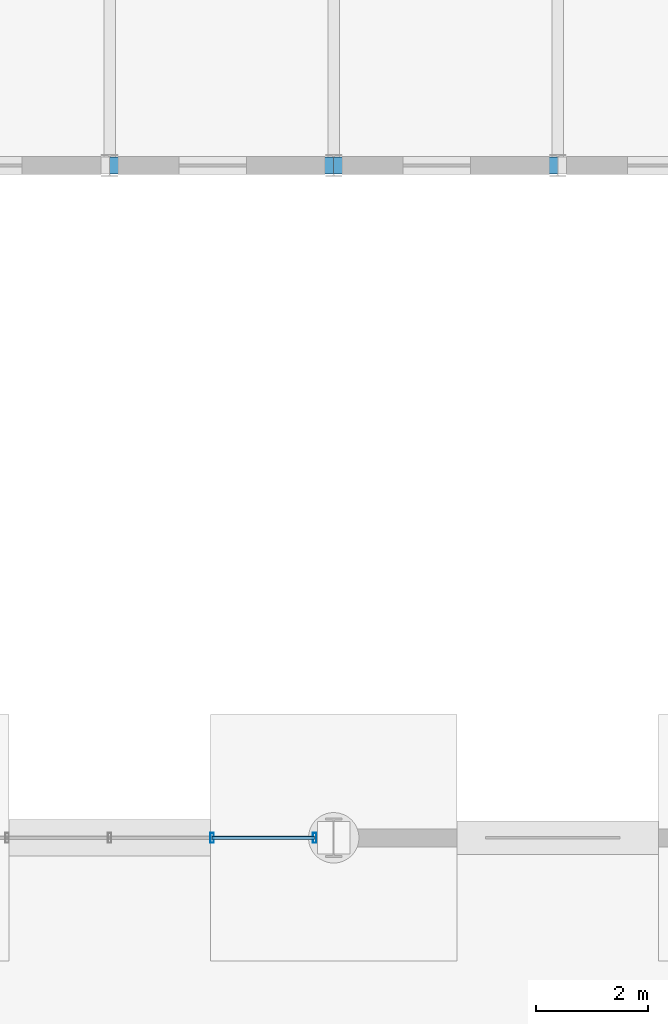
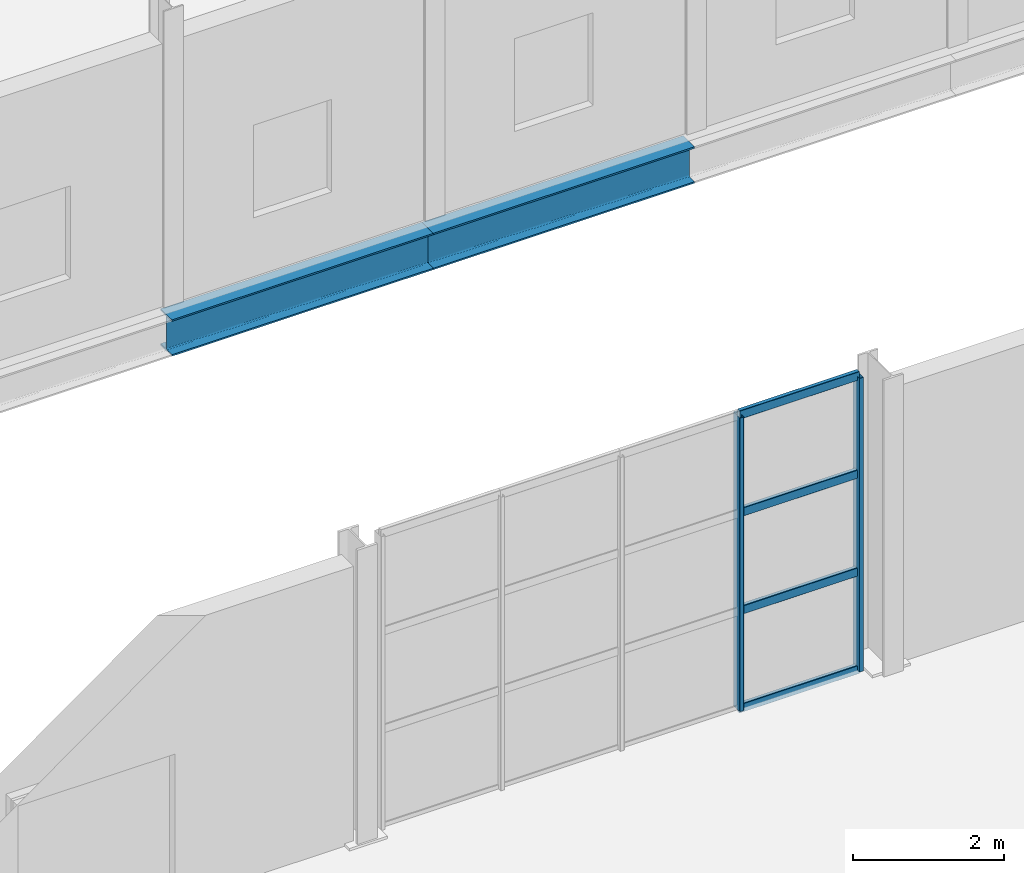
# One storey, part 57 of 101: 6 members, 2 beams, 1 element without a shape of its own.
"""IFC4 building model written with IfcOpenShell, lengths in metres."""

from ifc_helpers import new_model, si_unit, derived_unit, direction, frame, origin, origin_2d, place, context, subcontext, project, spatial, hollow_rectangle, i_section, extrude, material, material_profile, profile_set, type_object, element, aggregate, save


model = new_model("IFC4")

# Units and contexts
model_context = context("Model", 3, precision=1e-05, world=origin(), true_north=direction((0.0, 1.0)))
body_context = subcontext(model_context, "Body", "Model", "MODEL_VIEW")
ifc_project = project(units=[si_unit("LENGTHUNIT", "METRE"), si_unit("AREAUNIT", "SQUARE_METRE"), si_unit("VOLUMEUNIT", "CUBIC_METRE"), si_unit("PLANEANGLEUNIT", "RADIAN"), si_unit("MASSUNIT", "GRAM", prefix="KILO"), derived_unit("THERMALTRANSMITTANCEUNIT", [(si_unit("POWERUNIT", "WATT"), 1), (si_unit("LENGTHUNIT", "METRE"), -2), (si_unit("THERMODYNAMICTEMPERATUREUNIT", "KELVIN"), -1)])], contexts=[model_context])

# Site, building, storey
site_placement = place(None, origin())
site = spatial("IfcSite", under=ifc_project, at=site_placement, CompositionType="ELEMENT")
building_placement = place(site_placement, origin())
building = spatial("IfcBuilding", under=site, at=building_placement, Name="Keldorne Ridge Multi-Sports Centre", CompositionType="ELEMENT")
storey_placement = place(building_placement, origin())
storey = spatial("IfcBuildingStorey", under=building, at=storey_placement, Name="L00", CompositionType="ELEMENT", Elevation=0.0)

# Beams
ifc_material_1 = material(Name="Steel S355", Category="steel")
ifc_material_profile_1 = material_profile(ifc_material_1, i_section(OverallWidth=0.300048828125, OverallDepth=0.590087890625, WebThickness=0.012939453125, FlangeThickness=0.02490234375, FilletRadius=0.027099609375, at=origin_2d()), Name="HEA 600")
ifc_profile_set_1 = profile_set([ifc_material_profile_1], Name="Steel S355")
beam_type = type_object("IfcBeamType", Name="BM-B-06", PredefinedType="BEAM", material=ifc_profile_set_1)
for number, where, z_axis, x_axis, name in (
    (1, (132.0, 66.0, -0.56494140625), (1.0, 0.0, 0.0), (0.0, 1.0, 0.0), "L00 primary beam 6.66"),
    (2, (136.0, 66.0, -0.56494140625), (1.0, 0.0, 0.0), (0.0, 1.0, 0.0), "L00 primary beam 7.66"),
):
    element("IfcBeam", number, at=place(storey_placement, frame(where, z_axis=z_axis, x_axis=x_axis)), inside=storey, type_object=beam_type, Name=name, PredefinedType="BEAM", context=body_context, shape_type="SweptSolid", body=[
        extrude(i_section(OverallWidth=0.300048828125, OverallDepth=0.590087890625, WebThickness=0.012939453125, FlangeThickness=0.02490234375, FilletRadius=0.027099609375, at=origin_2d()), origin(), (0.0, 0.0, 1.0), 4.0),
    ])

# Curtain wall, members
ifc_material_2 = material(Name="Anodized aluminium", Category="aluminium")
curtain_wall_type = type_object("IfcCurtainWallType", Name="CW-CW-05", PredefinedType="NOTDEFINED", material=ifc_material_2)
curtain_wall_placement = place(storey_placement, origin())
curtain_wall = element("IfcCurtainWall", 3, at=curtain_wall_placement, inside=storey, type_object=curtain_wall_type, Name="Lower Courts north glazing 109", PredefinedType="NOTDEFINED")
ifc_material_profile_2 = material_profile(ifc_material_2, hollow_rectangle(XDim=0.06494140625, YDim=0.179931640625, WallThickness=0.00439453125, InnerFilletRadius=0.00439453125, OuterFilletRadius=0.009033203125, at=origin_2d()), Name="ALU MULLION 180x65x4.5")
ifc_profile_set_2 = profile_set([ifc_material_profile_2], Name="Anodized aluminium")
member_type_1 = type_object("IfcMemberType", Name="MEM-ML-01", PredefinedType="MULLION", material=ifc_profile_set_2)
member_1_placement = place(storey_placement, frame((135.659912109375, 54.0, 0.0), z_axis=(0.0, 0.0, 1.0), x_axis=(1.0, 0.0, 0.0)))
member_1 = element("IfcMember", 4, at=member_1_placement, type_object=member_type_1, Name="CW-109 vertical mullion 1", PredefinedType="MULLION", context=body_context, shape_type="SweptSolid", body=[
    extrude(hollow_rectangle(XDim=0.06494140625, YDim=0.179931640625, WallThickness=0.00439453125, InnerFilletRadius=0.00439453125, OuterFilletRadius=0.009033203125, at=origin_2d()), origin(), (0.0, 0.0, 1.0), 4.75),
])
member_2_placement = place(storey_placement, frame((133.830078125, 54.0, 0.0), z_axis=(0.0, 0.0, 1.0), x_axis=(1.0, 0.0, 0.0)))
member_2 = element("IfcMember", 5, at=member_2_placement, type_object=member_type_1, Name="CW-109 vertical mullion 2", PredefinedType="MULLION", context=body_context, shape_type="SweptSolid", body=[
    extrude(hollow_rectangle(XDim=0.06494140625, YDim=0.179931640625, WallThickness=0.00439453125, InnerFilletRadius=0.00439453125, OuterFilletRadius=0.009033203125, at=origin_2d()), origin(), (0.0, 0.0, 1.0), 4.75),
])
ifc_material_profile_3 = material_profile(ifc_material_2, hollow_rectangle(XDim=0.06494140625, YDim=0.139892578125, WallThickness=0.00439453125, InnerFilletRadius=0.00439453125, OuterFilletRadius=0.009033203125, at=origin_2d()), Name="ALU TRANSOM 140x65x4.5")
ifc_profile_set_3 = profile_set([ifc_material_profile_3], Name="Anodized aluminium")
member_type_2 = type_object("IfcMemberType", Name="MEM-TR-01", PredefinedType="USERDEFINED", material=ifc_profile_set_3)
member_3_placement = place(storey_placement, frame((135.659912109375, 54.0, 0.0), z_axis=(-1.0, 0.0, 0.0), x_axis=(0.0, -1.0, 0.0)))
member_3 = element("IfcMember", 6, at=member_3_placement, type_object=member_type_2, Name="CW-109 transom 1.1", ObjectType="TRANSOM", PredefinedType="USERDEFINED", context=body_context, shape_type="SweptSolid", body=[
    extrude(hollow_rectangle(XDim=0.06494140625, YDim=0.139892578125, WallThickness=0.00439453125, InnerFilletRadius=0.00439453125, OuterFilletRadius=0.009033203125, at=origin_2d()), origin(), (0.0, 0.0, 1.0), 1.829833984375),
])
member_4_placement = place(storey_placement, frame((135.659912109375, 54.0, 1.583251953125), z_axis=(-1.0, 0.0, 0.0), x_axis=(0.0, -1.0, 0.0)))
member_4 = element("IfcMember", 7, at=member_4_placement, type_object=member_type_2, Name="CW-109 transom 1.2", ObjectType="TRANSOM", PredefinedType="USERDEFINED", context=body_context, shape_type="SweptSolid", body=[
    extrude(hollow_rectangle(XDim=0.06494140625, YDim=0.139892578125, WallThickness=0.00439453125, InnerFilletRadius=0.00439453125, OuterFilletRadius=0.009033203125, at=origin_2d()), origin(), (0.0, 0.0, 1.0), 1.829833984375),
])
member_5_placement = place(storey_placement, frame((135.659912109375, 54.0, 3.166748046875), z_axis=(-1.0, 0.0, 0.0), x_axis=(0.0, -1.0, 0.0)))
member_5 = element("IfcMember", 8, at=member_5_placement, type_object=member_type_2, Name="CW-109 transom 1.3", ObjectType="TRANSOM", PredefinedType="USERDEFINED", context=body_context, shape_type="SweptSolid", body=[
    extrude(hollow_rectangle(XDim=0.06494140625, YDim=0.139892578125, WallThickness=0.00439453125, InnerFilletRadius=0.00439453125, OuterFilletRadius=0.009033203125, at=origin_2d()), origin(), (0.0, 0.0, 1.0), 1.829833984375),
])
member_6_placement = place(storey_placement, frame((135.659912109375, 54.0, 4.75), z_axis=(-1.0, 0.0, 0.0), x_axis=(0.0, -1.0, 0.0)))
member_6 = element("IfcMember", 9, at=member_6_placement, type_object=member_type_2, Name="CW-109 transom 1.4", ObjectType="TRANSOM", PredefinedType="USERDEFINED", context=body_context, shape_type="SweptSolid", body=[
    extrude(hollow_rectangle(XDim=0.06494140625, YDim=0.139892578125, WallThickness=0.00439453125, InnerFilletRadius=0.00439453125, OuterFilletRadius=0.009033203125, at=origin_2d()), origin(), (0.0, 0.0, 1.0), 1.829833984375),
])
aggregate(curtain_wall, [member_1, member_2, member_3, member_4, member_5, member_6])

save(model, "model.ifc")
